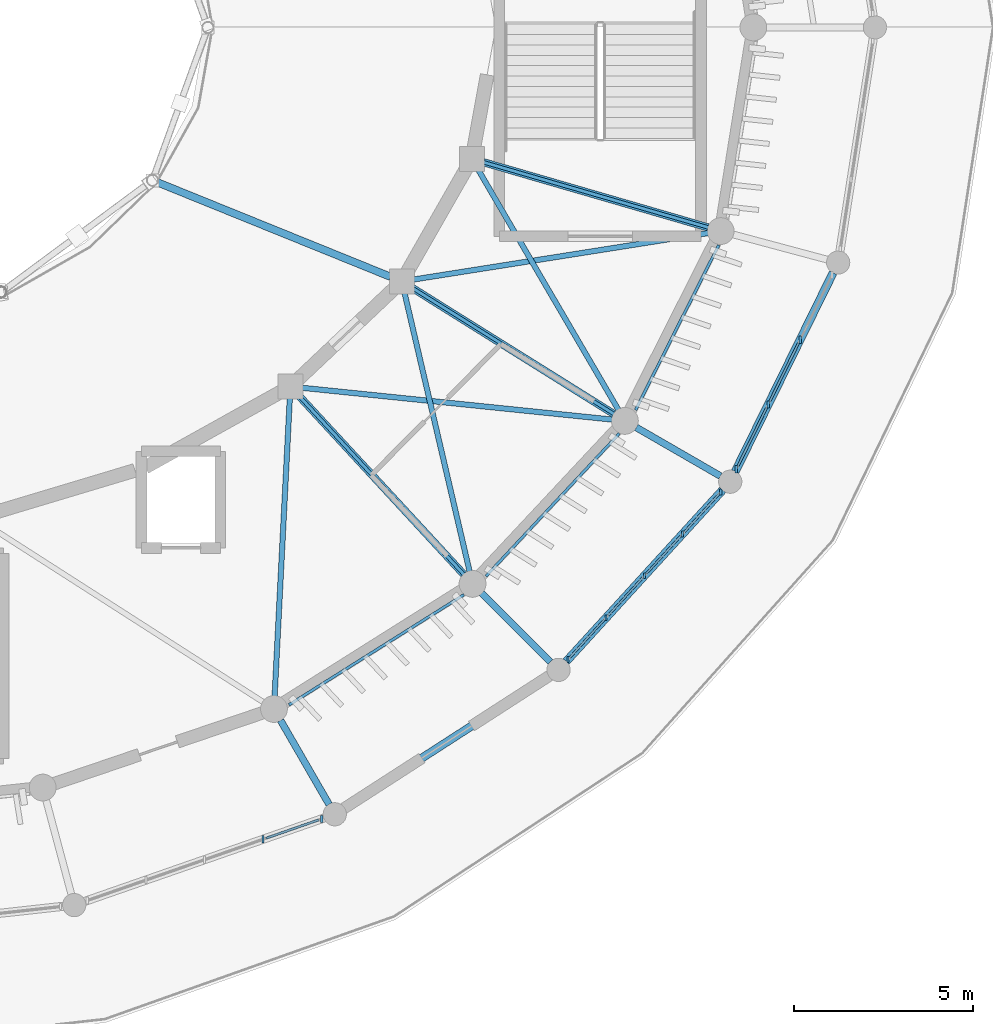
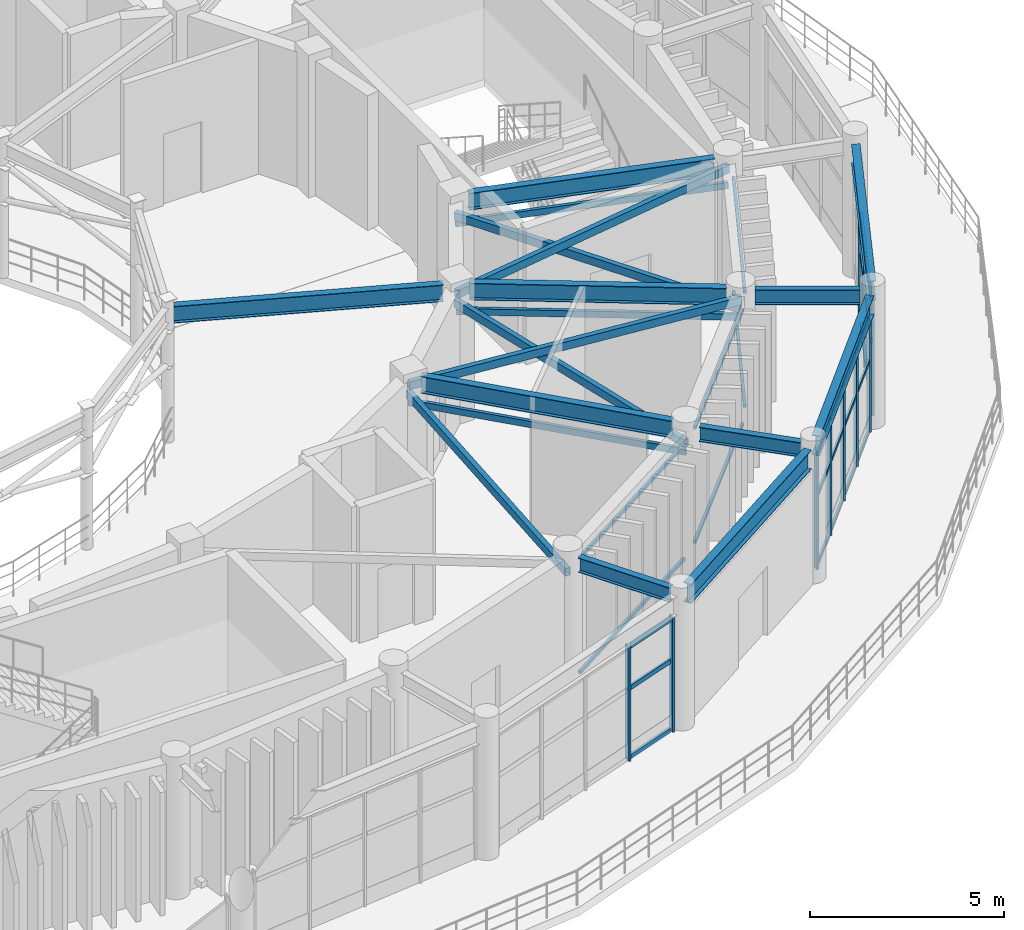
# One storey, part 15 of 45: 45 members, 10 beams, 3 elements without a shape of their own.
"""IFC4 building model written with IfcOpenShell, lengths in metres."""

from ifc_helpers import new_model, si_unit, direction, frame, origin, origin_2d, place, context, subcontext, project, spatial, rectangle, hollow_rectangle, i_section, extrude, material, material_profile, profile_set, type_object, element, aggregate, save


model = new_model("IFC4")

# Units and contexts
model_context = context("Model", 3, precision=1e-05, world=origin(), true_north=direction((0.0, 1.0)))
body_context = subcontext(model_context, "Body", "Model", "MODEL_VIEW")
ifc_project = project(units=[si_unit("LENGTHUNIT", "METRE"), si_unit("AREAUNIT", "SQUARE_METRE"), si_unit("VOLUMEUNIT", "CUBIC_METRE"), si_unit("PLANEANGLEUNIT", "RADIAN"), si_unit("MASSUNIT", "GRAM", prefix="KILO")], contexts=[model_context])

# Site, building, storey
site_placement = place(None, origin())
site = spatial("IfcSite", under=ifc_project, at=site_placement, CompositionType="ELEMENT")
building_placement = place(site_placement, origin())
building = spatial("IfcBuilding", under=site, at=building_placement, Name="Cinderbank Siding Concert Hall", CompositionType="ELEMENT")
storey_placement = place(building_placement, frame((0.0, 0.0, 19.199951171875)))
storey = spatial("IfcBuildingStorey", under=building, at=storey_placement, Name="L05", CompositionType="ELEMENT", Elevation=19.199951171875)

# Beams
ifc_material_1 = material(Name="Structural steel AS/NZS 3679.1 Grade 350 (340 MPa)", Category="steel")
ifc_material_profile_1 = material_profile(ifc_material_1, i_section(OverallWidth=0.19091796875, OverallDepth=0.46044921875, WebThickness=0.010009765625, FlangeThickness=0.01611328125, at=origin_2d()), Name="460UB82.1", Category="LoadBearing")
ifc_profile_set_1 = profile_set([ifc_material_profile_1], Name="Structural steel AS/NZS 3679.1 Grade 350 (340 MPa)")
beam_type_1 = type_object("IfcBeamType", Name="BM-UB460H 460UB82.1", PredefinedType="BEAM", material=ifc_profile_set_1)
beam_1_placement = place(storey_placement, frame((135.58349609375, 24.629638671875, 4.001953125), z_axis=(0.499987022033, -0.866032896488, 0.0), x_axis=(0.866032896488, 0.499987022033, 0.0)))
element("IfcBeam", 1, at=beam_1_placement, inside=storey, type_object=beam_type_1, Name="L05 Beam BM-UB460H #813", PredefinedType="BEAM", context=body_context, shape_type="SweptSolid", body=[
    extrude(i_section(OverallWidth=0.19091796875, OverallDepth=0.46044921875, WebThickness=0.010009765625, FlangeThickness=0.01611328125, at=origin_2d()), origin(), (0.0, 0.0, 1.0), 2.7158203125),
])
beam_2_placement = place(storey_placement, frame((141.2099609375, 28.18408203125, 4.001953125), z_axis=(0.707151723938, -0.707061835578, 0.0), x_axis=(0.707061835578, 0.707151723938, 0.0)))
element("IfcBeam", 2, at=beam_2_placement, inside=storey, type_object=beam_type_1, Name="L05 Beam BM-UB460H #814", PredefinedType="BEAM", context=body_context, shape_type="SweptSolid", body=[
    extrude(i_section(OverallWidth=0.19091796875, OverallDepth=0.46044921875, WebThickness=0.010009765625, FlangeThickness=0.01611328125, at=origin_2d()), origin(), (0.0, 0.0, 1.0), 2.716064453125),
])
beam_3_placement = place(storey_placement, frame((145.52734375, 32.81640625, 4.001953125), z_axis=(0.866032896488, -0.499987022033, 0.0), x_axis=(0.499987022033, 0.866032896488, 0.0)))
element("IfcBeam", 3, at=beam_3_placement, inside=storey, type_object=beam_type_1, Name="L05 Beam BM-UB460H #815", PredefinedType="BEAM", context=body_context, shape_type="SweptSolid", body=[
    extrude(i_section(OverallWidth=0.19091796875, OverallDepth=0.46044921875, WebThickness=0.010009765625, FlangeThickness=0.01611328125, at=origin_2d()), origin(), (0.0, 0.0, 1.0), 2.7158203125),
])
ifc_material_profile_2 = material_profile(ifc_material_1, i_section(OverallWidth=0.208984375, OverallDepth=0.5283203125, WebThickness=0.009521484375, FlangeThickness=0.01318359375, at=origin_2d()), Name="530UB82.0", Category="LoadBearing")
ifc_profile_set_2 = profile_set([ifc_material_profile_2], Name="Structural steel AS/NZS 3679.1 Grade 350 (340 MPa)")
beam_type_2 = type_object("IfcBeamType", Name="BM-UB530 530UB82.0", PredefinedType="BEAM", material=ifc_profile_set_2)
beam_4_placement = place(storey_placement, frame((132.145263671875, 39.667236328125, 3.988037109375), z_axis=(0.926787327391, -0.375586541008, 0.0), x_axis=(0.375586541008, 0.926787327391, 0.0)))
element("IfcBeam", 4, at=beam_4_placement, inside=storey, type_object=beam_type_2, Name="L05 Beam BM-UB530 #225", PredefinedType="BEAM", context=body_context, shape_type="SweptSolid", body=[
    extrude(i_section(OverallWidth=0.208984375, OverallDepth=0.5283203125, WebThickness=0.009521484375, FlangeThickness=0.01318359375, at=origin_2d()), origin(), (0.0, 0.0, 1.0), 7.026123046875),
])
ifc_material_profile_3 = material_profile(ifc_material_1, i_section(OverallWidth=0.208984375, OverallDepth=0.532958984375, WebThickness=0.01025390625, FlangeThickness=0.015625, at=origin_2d()), Name="530UB92.4", Category="LoadBearing")
ifc_profile_set_3 = profile_set([ifc_material_profile_3], Name="Structural steel AS/NZS 3679.1 Grade 350 (340 MPa)")
beam_type_3 = type_object("IfcBeamType", Name="BM-UB530H 530UB92.4", PredefinedType="BEAM", material=ifc_profile_set_3)
beam_5_placement = place(storey_placement, frame((136.09130859375, 33.707763671875, 4.015625), z_axis=(0.67829203735, -0.734792427879, 0.0), x_axis=(0.734792427879, 0.67829203735, 0.0)))
element("IfcBeam", 5, at=beam_5_placement, inside=storey, type_object=beam_type_3, Name="L05 Beam BM-UB530H #791", PredefinedType="BEAM", context=body_context, shape_type="SweptSolid", body=[
    extrude(i_section(OverallWidth=0.208984375, OverallDepth=0.532958984375, WebThickness=0.01025390625, FlangeThickness=0.015625, at=origin_2d()), origin(), (0.0, 0.0, 1.0), 6.797119140625),
])
beam_6_placement = place(storey_placement, frame((139.26416015625, 36.718505859375, 4.015625), z_axis=(0.84781868984, -0.530286214376, 0.0), x_axis=(0.530286214376, 0.84781868984, 0.0)))
element("IfcBeam", 6, at=beam_6_placement, inside=storey, type_object=beam_type_3, Name="L05 Beam BM-UB530H #792", PredefinedType="BEAM", context=body_context, shape_type="SweptSolid", body=[
    extrude(i_section(OverallWidth=0.208984375, OverallDepth=0.532958984375, WebThickness=0.01025390625, FlangeThickness=0.015625, at=origin_2d()), origin(), (0.0, 0.0, 1.0), 6.645263671875),
])
beam_7_placement = place(storey_placement, frame((141.260498046875, 40.2294921875, 4.015625), z_axis=(0.960350422934, -0.278795740946, 0.0), x_axis=(0.278795740946, 0.960350422934, 0.0)))
element("IfcBeam", 7, at=beam_7_placement, inside=storey, type_object=beam_type_3, Name="L05 Beam BM-UB530H #793", PredefinedType="BEAM", context=body_context, shape_type="SweptSolid", body=[
    extrude(i_section(OverallWidth=0.208984375, OverallDepth=0.532958984375, WebThickness=0.01025390625, FlangeThickness=0.015625, at=origin_2d()), origin(), (0.0, 0.0, 1.0), 6.53271484375),
])
ifc_material_profile_4 = material_profile(ifc_material_1, i_section(OverallWidth=0.22802734375, OverallDepth=0.60693359375, WebThickness=0.01123046875, FlangeThickness=0.017333984375, at=origin_2d()), Name="610UB113", Category="LoadBearing")
ifc_profile_set_4 = profile_set([ifc_material_profile_4], Name="Structural steel AS/NZS 3679.1 Grade 350 (340 MPa)")
beam_type_4 = type_object("IfcBeamType", Name="BM-UB610M 610UB113", PredefinedType="BEAM", material=ifc_profile_set_4)
beam_8_placement = place(storey_placement, frame((137.3662109375, 22.1748046875, 3.928466796875), z_axis=(0.840219727246, 0.542246078775, 0.0), x_axis=(-0.542246078775, 0.840219727246, 0.0)))
element("IfcBeam", 8, at=beam_8_placement, inside=storey, type_object=beam_type_4, Name="L05 Beam BM-UB610M #779", PredefinedType="BEAM", context=body_context, shape_type="SweptSolid", body=[
    extrude(i_section(OverallWidth=0.22802734375, OverallDepth=0.60693359375, WebThickness=0.01123046875, FlangeThickness=0.017333984375, at=origin_2d()), origin(), (0.0, 0.0, 1.0), 6.810302734375),
])
beam_9_placement = place(storey_placement, frame((143.568359375, 26.273681640625, 3.928466796875), z_axis=(0.67395874418, 0.73876898361, 0.0), x_axis=(-0.73876898361, 0.67395874418, 0.0)))
element("IfcBeam", 9, at=beam_9_placement, inside=storey, type_object=beam_type_4, Name="L05 Beam BM-UB610M #780", PredefinedType="BEAM", context=body_context, shape_type="SweptSolid", body=[
    extrude(i_section(OverallWidth=0.22802734375, OverallDepth=0.60693359375, WebThickness=0.01123046875, FlangeThickness=0.017333984375, at=origin_2d()), origin(), (0.0, 0.0, 1.0), 6.48681640625),
])
beam_10_placement = place(storey_placement, frame((148.294189453125, 31.58447265625, 3.928466796875), z_axis=(0.441813843649, 0.897106753714, 0.0), x_axis=(-0.897106753714, 0.441813843649, 0.0)))
element("IfcBeam", 10, at=beam_10_placement, inside=storey, type_object=beam_type_4, Name="L05 Beam BM-UB610M #781", PredefinedType="BEAM", context=body_context, shape_type="SweptSolid", body=[
    extrude(i_section(OverallWidth=0.22802734375, OverallDepth=0.60693359375, WebThickness=0.01123046875, FlangeThickness=0.017333984375, at=origin_2d()), origin(), (0.0, 0.0, 1.0), 6.194580078125),
])

# Curtain wall, members
ifc_material_2 = material(Name="Anodised aluminium alloy 6063-T6", Category="aluminium")
curtain_wall_type_1 = type_object("IfcCurtainWallType", Name="CW-10 Unitised Acoustic Curtain Wall 7200x3500", PredefinedType="NOTDEFINED", material=ifc_material_2)
curtain_wall_1_placement = place(storey_placement, origin())
curtain_wall_1 = element("IfcCurtainWall", 11, at=curtain_wall_1_placement, inside=storey, type_object=curtain_wall_type_1, Name="L05 Curtain Wall CW-10 #90", PredefinedType="NOTDEFINED")
ifc_material_profile_5 = material_profile(ifc_material_2, rectangle(XDim=0.06005859375, YDim=0.159912109375, at=origin_2d()), Name="ALU-MULL-60x160", Category="LoadBearing")
ifc_profile_set_5 = profile_set([ifc_material_profile_5], Name="Anodised aluminium alloy 6063-T6")
member_type_1 = type_object("IfcMemberType", Name="CW-ML1 Mullion 60x160", PredefinedType="MULLION", material=ifc_profile_set_5)
member_1_placement = place(storey_placement, frame((143.617431640625, 26.32763671875, 0.0), z_axis=(0.0, 0.0, 1.0), x_axis=(1.0, 0.0, 0.0)))
member_1 = element("IfcMember", 12, at=member_1_placement, type_object=member_type_1, Name="CW-L05-090 Mullion 0", PredefinedType="MULLION", context=body_context, shape_type="SweptSolid", body=[
    extrude(rectangle(XDim=0.06005859375, YDim=0.159912109375, at=origin_2d()), origin(), (0.0, 0.0, 1.0), 3.610107421875),
])
member_2_placement = place(storey_placement, frame((144.685791015625, 27.498779296875, 0.0), z_axis=(0.0, 0.0, 1.0), x_axis=(1.0, 0.0, 0.0)))
member_2 = element("IfcMember", 13, at=member_2_placement, type_object=member_type_1, Name="CW-L05-090 Mullion 1", PredefinedType="MULLION", context=body_context, shape_type="SweptSolid", body=[
    extrude(rectangle(XDim=0.06005859375, YDim=0.159912109375, at=origin_2d()), origin(), (0.0, 0.0, 1.0), 3.610107421875),
])
member_3_placement = place(storey_placement, frame((145.75439453125, 28.669921875, 0.0), z_axis=(0.0, 0.0, 1.0), x_axis=(1.0, 0.0, 0.0)))
member_3 = element("IfcMember", 14, at=member_3_placement, type_object=member_type_1, Name="CW-L05-090 Mullion 2", PredefinedType="MULLION", context=body_context, shape_type="SweptSolid", body=[
    extrude(rectangle(XDim=0.06005859375, YDim=0.159912109375, at=origin_2d()), origin(), (0.0, 0.0, 1.0), 3.610107421875),
])
member_4_placement = place(storey_placement, frame((146.82275390625, 29.8408203125, 0.0), z_axis=(0.0, 0.0, 1.0), x_axis=(1.0, 0.0, 0.0)))
member_4 = element("IfcMember", 15, at=member_4_placement, type_object=member_type_1, Name="CW-L05-090 Mullion 3", PredefinedType="MULLION", context=body_context, shape_type="SweptSolid", body=[
    extrude(rectangle(XDim=0.06005859375, YDim=0.159912109375, at=origin_2d()), origin(), (0.0, 0.0, 1.0), 3.610107421875),
])
member_5_placement = place(storey_placement, frame((147.89111328125, 31.011962890625, 0.0), z_axis=(0.0, 0.0, 1.0), x_axis=(1.0, 0.0, 0.0)))
member_5 = element("IfcMember", 16, at=member_5_placement, type_object=member_type_1, Name="CW-L05-090 Mullion 4", PredefinedType="MULLION", context=body_context, shape_type="SweptSolid", body=[
    extrude(rectangle(XDim=0.06005859375, YDim=0.159912109375, at=origin_2d()), origin(), (0.0, 0.0, 1.0), 3.610107421875),
])

curtain_wall_type_2 = type_object("IfcCurtainWallType", Name="CW-12 Unitised Acoustic Curtain Wall 5800x3500", PredefinedType="NOTDEFINED", material=ifc_material_2)
curtain_wall_2_placement = place(storey_placement, origin())
curtain_wall_2 = element("IfcCurtainWall", 17, at=curtain_wall_2_placement, inside=storey, type_object=curtain_wall_type_2, Name="L05 Curtain Wall CW-12 #89", PredefinedType="NOTDEFINED")
ifc_material_profile_6 = material_profile(ifc_material_2, rectangle(XDim=0.06494140625, YDim=0.199951171875, at=origin_2d()), Name="ALU-MULL-65x200", Category="LoadBearing")
ifc_profile_set_6 = profile_set([ifc_material_profile_6], Name="Anodised aluminium alloy 6063-T6")
member_type_2 = type_object("IfcMemberType", Name="CW-ML2 Mullion 65x200", PredefinedType="MULLION", material=ifc_profile_set_6)
member_6_placement = place(storey_placement, frame((135.094970703125, 21.304443359375, 0.0), z_axis=(0.0, 0.0, 1.0), x_axis=(1.0, 0.0, 0.0)))
member_6 = element("IfcMember", 18, at=member_6_placement, type_object=member_type_2, Name="CW-L05-089 Mullion 3", PredefinedType="MULLION", context=body_context, shape_type="SweptSolid", body=[
    extrude(rectangle(XDim=0.06494140625, YDim=0.199951171875, at=origin_2d()), origin(), (0.0, 0.0, 1.0), 3.610107421875),
])
member_7_placement = place(storey_placement, frame((136.731689453125, 21.874755859375, 0.0), z_axis=(0.0, 0.0, 1.0), x_axis=(1.0, 0.0, 0.0)))
member_7 = element("IfcMember", 19, at=member_7_placement, type_object=member_type_2, Name="CW-L05-089 Mullion 4", PredefinedType="MULLION", context=body_context, shape_type="SweptSolid", body=[
    extrude(rectangle(XDim=0.06494140625, YDim=0.199951171875, at=origin_2d()), origin(), (0.0, 0.0, 1.0), 3.610107421875),
])

curtain_wall_type_3 = type_object("IfcCurtainWallType", Name="CW-11 Unitised Acoustic Curtain Wall 6600x3500", PredefinedType="NOTDEFINED", material=ifc_material_2)
curtain_wall_3_placement = place(storey_placement, origin())
curtain_wall_3 = element("IfcCurtainWall", 20, at=curtain_wall_3_placement, inside=storey, type_object=curtain_wall_type_3, Name="L05 Curtain Wall CW-11 #91", PredefinedType="NOTDEFINED")
member_8_placement = place(storey_placement, frame((148.326416015625, 31.64990234375, 0.0), z_axis=(0.0, 0.0, 1.0), x_axis=(1.0, 0.0, 0.0)))
member_8 = element("IfcMember", 21, at=member_8_placement, type_object=member_type_2, Name="CW-L05-091 Mullion 0", PredefinedType="MULLION", context=body_context, shape_type="SweptSolid", body=[
    extrude(rectangle(XDim=0.06494140625, YDim=0.199951171875, at=origin_2d()), origin(), (0.0, 0.0, 1.0), 3.610107421875),
])
member_9_placement = place(storey_placement, frame((149.217041015625, 33.45849609375, 0.0), z_axis=(0.0, 0.0, 1.0), x_axis=(1.0, 0.0, 0.0)))
member_9 = element("IfcMember", 22, at=member_9_placement, type_object=member_type_2, Name="CW-L05-091 Mullion 1", PredefinedType="MULLION", context=body_context, shape_type="SweptSolid", body=[
    extrude(rectangle(XDim=0.06494140625, YDim=0.199951171875, at=origin_2d()), origin(), (0.0, 0.0, 1.0), 3.610107421875),
])
member_10_placement = place(storey_placement, frame((150.10791015625, 35.267333984375, 0.0), z_axis=(0.0, 0.0, 1.0), x_axis=(1.0, 0.0, 0.0)))
member_10 = element("IfcMember", 23, at=member_10_placement, type_object=member_type_2, Name="CW-L05-091 Mullion 2", PredefinedType="MULLION", context=body_context, shape_type="SweptSolid", body=[
    extrude(rectangle(XDim=0.06494140625, YDim=0.199951171875, at=origin_2d()), origin(), (0.0, 0.0, 1.0), 3.610107421875),
])

# Member
ifc_material_profile_7 = material_profile(ifc_material_2, rectangle(XDim=0.06005859375, YDim=0.1201171875, at=origin_2d()), Name="ALU-TRAN-60x120", Category="LoadBearing")
ifc_profile_set_7 = profile_set([ifc_material_profile_7], Name="Anodised aluminium alloy 6063-T6")
member_type_3 = type_object("IfcMemberType", Name="CW-TR1 Transom 60x120", PredefinedType="USERDEFINED", material=ifc_profile_set_7)
member_11_placement = place(storey_placement, frame((143.6708984375, 26.38623046875, 0.06005859375), z_axis=(0.674025884018, 0.738707728181, 0.0), x_axis=(-0.738707728181, 0.674025884018, 0.0)))
member_11 = element("IfcMember", 24, at=member_11_placement, type_object=member_type_3, Name="CW-L05-090 Transom 0-0", ObjectType="TRANSOM", PredefinedType="USERDEFINED", context=body_context, shape_type="SweptSolid", body=[
    extrude(rectangle(XDim=0.06005859375, YDim=0.1201171875, at=origin_2d()), origin(), (0.0, 0.0, 1.0), 1.4267578125),
])

member_12_placement = place(storey_placement, frame((143.6708984375, 26.38623046875, 2.23828125), z_axis=(0.674025884018, 0.738707728181, 0.0), x_axis=(-0.738707728181, 0.674025884018, 0.0)))
member_12 = element("IfcMember", 25, at=member_12_placement, type_object=member_type_3, Name="CW-L05-090 Transom 0-1", ObjectType="TRANSOM", PredefinedType="USERDEFINED", context=body_context, shape_type="SweptSolid", body=[
    extrude(rectangle(XDim=0.06005859375, YDim=0.1201171875, at=origin_2d()), origin(), (0.0, 0.0, 1.0), 1.4267578125),
])

member_13_placement = place(storey_placement, frame((143.6708984375, 26.38623046875, 3.550048828125), z_axis=(0.674025884018, 0.738707728181, 0.0), x_axis=(-0.738707728181, 0.674025884018, 0.0)))
member_13 = element("IfcMember", 26, at=member_13_placement, type_object=member_type_3, Name="CW-L05-090 Transom 0-2", ObjectType="TRANSOM", PredefinedType="USERDEFINED", context=body_context, shape_type="SweptSolid", body=[
    extrude(rectangle(XDim=0.06005859375, YDim=0.1201171875, at=origin_2d()), origin(), (0.0, 0.0, 1.0), 1.4267578125),
])

member_14_placement = place(storey_placement, frame((144.7392578125, 27.55712890625, 0.06005859375), z_axis=(0.674025884018, 0.738707728181, 0.0), x_axis=(-0.738707728181, 0.674025884018, 0.0)))
member_14 = element("IfcMember", 27, at=member_14_placement, type_object=member_type_3, Name="CW-L05-090 Transom 1-0", ObjectType="TRANSOM", PredefinedType="USERDEFINED", context=body_context, shape_type="SweptSolid", body=[
    extrude(rectangle(XDim=0.06005859375, YDim=0.1201171875, at=origin_2d()), origin(), (0.0, 0.0, 1.0), 1.4267578125),
])

member_15_placement = place(storey_placement, frame((144.7392578125, 27.55712890625, 2.23828125), z_axis=(0.674025884018, 0.738707728181, 0.0), x_axis=(-0.738707728181, 0.674025884018, 0.0)))
member_15 = element("IfcMember", 28, at=member_15_placement, type_object=member_type_3, Name="CW-L05-090 Transom 1-1", ObjectType="TRANSOM", PredefinedType="USERDEFINED", context=body_context, shape_type="SweptSolid", body=[
    extrude(rectangle(XDim=0.06005859375, YDim=0.1201171875, at=origin_2d()), origin(), (0.0, 0.0, 1.0), 1.4267578125),
])

member_16_placement = place(storey_placement, frame((144.7392578125, 27.55712890625, 3.550048828125), z_axis=(0.674025884018, 0.738707728181, 0.0), x_axis=(-0.738707728181, 0.674025884018, 0.0)))
member_16 = element("IfcMember", 29, at=member_16_placement, type_object=member_type_3, Name="CW-L05-090 Transom 1-2", ObjectType="TRANSOM", PredefinedType="USERDEFINED", context=body_context, shape_type="SweptSolid", body=[
    extrude(rectangle(XDim=0.06005859375, YDim=0.1201171875, at=origin_2d()), origin(), (0.0, 0.0, 1.0), 1.4267578125),
])

member_17_placement = place(storey_placement, frame((145.8076171875, 28.728271484375, 0.06005859375), z_axis=(0.674025884018, 0.738707728181, 0.0), x_axis=(-0.738707728181, 0.674025884018, 0.0)))
member_17 = element("IfcMember", 30, at=member_17_placement, type_object=member_type_3, Name="CW-L05-090 Transom 2-0", ObjectType="TRANSOM", PredefinedType="USERDEFINED", context=body_context, shape_type="SweptSolid", body=[
    extrude(rectangle(XDim=0.06005859375, YDim=0.1201171875, at=origin_2d()), origin(), (0.0, 0.0, 1.0), 1.4267578125),
])

member_18_placement = place(storey_placement, frame((145.8076171875, 28.728271484375, 2.23828125), z_axis=(0.674025884018, 0.738707728181, 0.0), x_axis=(-0.738707728181, 0.674025884018, 0.0)))
member_18 = element("IfcMember", 31, at=member_18_placement, type_object=member_type_3, Name="CW-L05-090 Transom 2-1", ObjectType="TRANSOM", PredefinedType="USERDEFINED", context=body_context, shape_type="SweptSolid", body=[
    extrude(rectangle(XDim=0.06005859375, YDim=0.1201171875, at=origin_2d()), origin(), (0.0, 0.0, 1.0), 1.4267578125),
])

member_19_placement = place(storey_placement, frame((145.8076171875, 28.728271484375, 3.550048828125), z_axis=(0.674025884018, 0.738707728181, 0.0), x_axis=(-0.738707728181, 0.674025884018, 0.0)))
member_19 = element("IfcMember", 32, at=member_19_placement, type_object=member_type_3, Name="CW-L05-090 Transom 2-2", ObjectType="TRANSOM", PredefinedType="USERDEFINED", context=body_context, shape_type="SweptSolid", body=[
    extrude(rectangle(XDim=0.06005859375, YDim=0.1201171875, at=origin_2d()), origin(), (0.0, 0.0, 1.0), 1.4267578125),
])

member_20_placement = place(storey_placement, frame((146.876220703125, 29.8994140625, 0.06005859375), z_axis=(0.67393249173, 0.738792932147, 0.0), x_axis=(-0.738792932147, 0.67393249173, 0.0)))
member_20 = element("IfcMember", 33, at=member_20_placement, type_object=member_type_3, Name="CW-L05-090 Transom 3-0", ObjectType="TRANSOM", PredefinedType="USERDEFINED", context=body_context, shape_type="SweptSolid", body=[
    extrude(rectangle(XDim=0.06005859375, YDim=0.1201171875, at=origin_2d()), origin(), (0.0, 0.0, 1.0), 1.426513671875),
])

member_21_placement = place(storey_placement, frame((146.876220703125, 29.8994140625, 2.23828125), z_axis=(0.67393249173, 0.738792932147, 0.0), x_axis=(-0.738792932147, 0.67393249173, 0.0)))
member_21 = element("IfcMember", 34, at=member_21_placement, type_object=member_type_3, Name="CW-L05-090 Transom 3-1", ObjectType="TRANSOM", PredefinedType="USERDEFINED", context=body_context, shape_type="SweptSolid", body=[
    extrude(rectangle(XDim=0.06005859375, YDim=0.1201171875, at=origin_2d()), origin(), (0.0, 0.0, 1.0), 1.426513671875),
])

member_22_placement = place(storey_placement, frame((146.876220703125, 29.8994140625, 3.550048828125), z_axis=(0.67393249173, 0.738792932147, 0.0), x_axis=(-0.738792932147, 0.67393249173, 0.0)))
member_22 = element("IfcMember", 35, at=member_22_placement, type_object=member_type_3, Name="CW-L05-090 Transom 3-2", ObjectType="TRANSOM", PredefinedType="USERDEFINED", context=body_context, shape_type="SweptSolid", body=[
    extrude(rectangle(XDim=0.06005859375, YDim=0.1201171875, at=origin_2d()), origin(), (0.0, 0.0, 1.0), 1.426513671875),
])

aggregate(curtain_wall_1, [member_1, member_2, member_3, member_4, member_5, member_11, member_12, member_13, member_14, member_15, member_16, member_17, member_18, member_19, member_20, member_21, member_22])

ifc_material_profile_8 = material_profile(ifc_material_2, rectangle(XDim=0.06494140625, YDim=0.14990234375, at=origin_2d()), Name="ALU-TRAN-65x150", Category="LoadBearing")
ifc_profile_set_8 = profile_set([ifc_material_profile_8], Name="Anodised aluminium alloy 6063-T6")
member_type_4 = type_object("IfcMemberType", Name="CW-TR2 Transom 65x150", PredefinedType="USERDEFINED", material=ifc_profile_set_8)
member_23_placement = place(storey_placement, frame((135.1767578125, 21.3330078125, 0.06005859375), z_axis=(0.944340450587, 0.328969775793, 0.0), x_axis=(-0.328969775793, 0.944340450587, 0.0)))
member_23 = element("IfcMember", 36, at=member_23_placement, type_object=member_type_4, Name="CW-L05-089 Transom 3-0", ObjectType="TRANSOM", PredefinedType="USERDEFINED", context=body_context, shape_type="SweptSolid", body=[
    extrude(rectangle(XDim=0.06494140625, YDim=0.14990234375, at=origin_2d()), origin(), (0.0, 0.0, 1.0), 1.56005859375),
])

member_24_placement = place(storey_placement, frame((135.1767578125, 21.3330078125, 2.23828125), z_axis=(0.944340450587, 0.328969775793, 0.0), x_axis=(-0.328969775793, 0.944340450587, 0.0)))
member_24 = element("IfcMember", 37, at=member_24_placement, type_object=member_type_4, Name="CW-L05-089 Transom 3-1", ObjectType="TRANSOM", PredefinedType="USERDEFINED", context=body_context, shape_type="SweptSolid", body=[
    extrude(rectangle(XDim=0.06494140625, YDim=0.14990234375, at=origin_2d()), origin(), (0.0, 0.0, 1.0), 1.56005859375),
])

member_25_placement = place(storey_placement, frame((135.1767578125, 21.3330078125, 3.550048828125), z_axis=(0.944340450587, 0.328969775793, 0.0), x_axis=(-0.328969775793, 0.944340450587, 0.0)))
member_25 = element("IfcMember", 38, at=member_25_placement, type_object=member_type_4, Name="CW-L05-089 Transom 3-2", ObjectType="TRANSOM", PredefinedType="USERDEFINED", context=body_context, shape_type="SweptSolid", body=[
    extrude(rectangle(XDim=0.06494140625, YDim=0.14990234375, at=origin_2d()), origin(), (0.0, 0.0, 1.0), 1.56005859375),
])

aggregate(curtain_wall_2, [member_6, member_7, member_23, member_24, member_25])

member_26_placement = place(storey_placement, frame((148.370849609375, 31.740234375, 0.06005859375), z_axis=(0.441823966303, 0.897101768363, 0.0), x_axis=(-0.897101768363, 0.441823966303, 0.0)))
member_26 = element("IfcMember", 39, at=member_26_placement, type_object=member_type_4, Name="CW-L05-091 Transom 0-0", ObjectType="TRANSOM", PredefinedType="USERDEFINED", context=body_context, shape_type="SweptSolid", body=[
    extrude(rectangle(XDim=0.06494140625, YDim=0.14990234375, at=origin_2d()), origin(), (0.0, 0.0, 1.0), 1.814697265625),
])

member_27_placement = place(storey_placement, frame((148.370849609375, 31.740234375, 2.23828125), z_axis=(0.441823966303, 0.897101768363, 0.0), x_axis=(-0.897101768363, 0.441823966303, 0.0)))
member_27 = element("IfcMember", 40, at=member_27_placement, type_object=member_type_4, Name="CW-L05-091 Transom 0-1", ObjectType="TRANSOM", PredefinedType="USERDEFINED", context=body_context, shape_type="SweptSolid", body=[
    extrude(rectangle(XDim=0.06494140625, YDim=0.14990234375, at=origin_2d()), origin(), (0.0, 0.0, 1.0), 1.814697265625),
])

member_28_placement = place(storey_placement, frame((148.370849609375, 31.740234375, 3.550048828125), z_axis=(0.441823966303, 0.897101768363, 0.0), x_axis=(-0.897101768363, 0.441823966303, 0.0)))
member_28 = element("IfcMember", 41, at=member_28_placement, type_object=member_type_4, Name="CW-L05-091 Transom 0-2", ObjectType="TRANSOM", PredefinedType="USERDEFINED", context=body_context, shape_type="SweptSolid", body=[
    extrude(rectangle(XDim=0.06494140625, YDim=0.14990234375, at=origin_2d()), origin(), (0.0, 0.0, 1.0), 1.814697265625),
])

member_29_placement = place(storey_placement, frame((149.26171875, 33.549072265625, 0.06005859375), z_axis=(0.441823966303, 0.897101768363, 0.0), x_axis=(-0.897101768363, 0.441823966303, 0.0)))
member_29 = element("IfcMember", 42, at=member_29_placement, type_object=member_type_4, Name="CW-L05-091 Transom 1-0", ObjectType="TRANSOM", PredefinedType="USERDEFINED", context=body_context, shape_type="SweptSolid", body=[
    extrude(rectangle(XDim=0.06494140625, YDim=0.14990234375, at=origin_2d()), origin(), (0.0, 0.0, 1.0), 1.814697265625),
])

member_30_placement = place(storey_placement, frame((149.26171875, 33.549072265625, 2.23828125), z_axis=(0.441823966303, 0.897101768363, 0.0), x_axis=(-0.897101768363, 0.441823966303, 0.0)))
member_30 = element("IfcMember", 43, at=member_30_placement, type_object=member_type_4, Name="CW-L05-091 Transom 1-1", ObjectType="TRANSOM", PredefinedType="USERDEFINED", context=body_context, shape_type="SweptSolid", body=[
    extrude(rectangle(XDim=0.06494140625, YDim=0.14990234375, at=origin_2d()), origin(), (0.0, 0.0, 1.0), 1.814697265625),
])

member_31_placement = place(storey_placement, frame((149.26171875, 33.549072265625, 3.550048828125), z_axis=(0.441823966303, 0.897101768363, 0.0), x_axis=(-0.897101768363, 0.441823966303, 0.0)))
member_31 = element("IfcMember", 44, at=member_31_placement, type_object=member_type_4, Name="CW-L05-091 Transom 1-2", ObjectType="TRANSOM", PredefinedType="USERDEFINED", context=body_context, shape_type="SweptSolid", body=[
    extrude(rectangle(XDim=0.06494140625, YDim=0.14990234375, at=origin_2d()), origin(), (0.0, 0.0, 1.0), 1.814697265625),
])

aggregate(curtain_wall_3, [member_8, member_9, member_10, member_26, member_27, member_28, member_29, member_30, member_31])

# Members
ifc_material_profile_9 = material_profile(ifc_material_2, rectangle(XDim=0.080078125, YDim=0.10009765625, at=origin_2d()), Name="ALU-RAIL-80x100", Category="LoadBearing")
ifc_profile_set_9 = profile_set([ifc_material_profile_9], Name="Anodised aluminium alloy 6063-T6")
member_type_5 = type_object("IfcMemberType", Name="LV-RL1 Carrier Rail 80x100", PredefinedType="STUD", material=ifc_profile_set_9)
for number, where, z_axis, x_axis, name in (
    (45, (135.81884765625, 25.060302734375, 0.219970703125), (0.84612066394, 0.532991390225, 0.0), (-0.532991390225, 0.84612066394, 0.0), "L05 Louvre Carrier Rail 21 BOT"),
    (46, (135.81884765625, 25.060302734375, 3.820068359375), (0.84612066394, 0.532991390225, 0.0), (-0.532991390225, 0.84612066394, 0.0), "L05 Louvre Carrier Rail 21 TOP"),
):
    element("IfcMember", number, at=place(storey_placement, frame(where, z_axis=z_axis, x_axis=x_axis)), inside=storey, type_object=member_type_5, Name=name, PredefinedType="STUD", context=body_context, shape_type="SweptSolid", body=[
        extrude(rectangle(XDim=0.080078125, YDim=0.10009765625, at=origin_2d()), origin(), (0.0, 0.0, 1.0), 5.77978515625),
    ])
for number, where, z_axis, x_axis, name in (
    (47, (141.326904296875, 28.6591796875, 0.219970703125), (0.682858444422, 0.730550713422, 0.0), (-0.730550713422, 0.682858444422, 0.0), "L05 Louvre Carrier Rail 22 BOT"),
    (48, (141.326904296875, 28.6591796875, 3.820068359375), (0.682858444422, 0.730550713422, 0.0), (-0.730550713422, 0.682858444422, 0.0), "L05 Louvre Carrier Rail 22 TOP"),
):
    element("IfcMember", number, at=place(storey_placement, frame(where, z_axis=z_axis, x_axis=x_axis)), inside=storey, type_object=member_type_5, Name=name, PredefinedType="STUD", context=body_context, shape_type="SweptSolid", body=[
        extrude(rectangle(XDim=0.080078125, YDim=0.10009765625, at=origin_2d()), origin(), (0.0, 0.0, 1.0), 5.45703125),
    ])
for number, where, z_axis, x_axis, name in (
    (49, (145.50830078125, 33.306396484375, 0.219970703125), (0.450482714116, 0.892785150124, 0.0), (-0.892785150124, 0.450482714116, 0.0), "L05 Louvre Carrier Rail 23 BOT"),
    (50, (145.50830078125, 33.306396484375, 3.820068359375), (0.450482714116, 0.892785150124, 0.0), (-0.892785150124, 0.450482714116, 0.0), "L05 Louvre Carrier Rail 23 TOP"),
):
    element("IfcMember", number, at=place(storey_placement, frame(where, z_axis=z_axis, x_axis=x_axis)), inside=storey, type_object=member_type_5, Name=name, PredefinedType="STUD", context=body_context, shape_type="SweptSolid", body=[
        extrude(rectangle(XDim=0.080078125, YDim=0.10009765625, at=origin_2d()), origin(), (0.0, 0.0, 1.0), 5.1630859375),
    ])
ifc_material_3 = material(Name="Structural steel hollow section AS/NZS 1163 Grade C350L0 (350 MPa)", Category="steel")
ifc_material_profile_10 = material_profile(ifc_material_3, hollow_rectangle(XDim=0.10009765625, YDim=0.199951171875, WallThickness=0.008056640625, at=origin_2d()), Name="200x100x8.0RHS", Category="LoadBearing")
ifc_profile_set_10 = profile_set([ifc_material_profile_10], Name="Structural steel hollow section AS/NZS 1163 Grade C350L0 (350 MPa)")
member_type_6 = type_object("IfcMemberType", Name="PR-RHS200 200x100x8.0RHS Roof Truss", PredefinedType="PURLIN", material=ifc_profile_set_10)
member_32_placement = place(storey_placement, frame((135.859375, 33.958984375, 3.340087890625), z_axis=(0.678276049894, -0.734807185689, 0.0), x_axis=(0.734807185689, 0.678276049894, 0.0)))
element("IfcMember", 51, at=member_32_placement, inside=storey, type_object=member_type_6, Name="L05 Roof Truss Member PR-RHS200 #2325", PredefinedType="PURLIN", context=body_context, shape_type="SweptSolid", body=[
    extrude(hollow_rectangle(XDim=0.10009765625, YDim=0.199951171875, WallThickness=0.008056640625, at=origin_2d()), origin(), (0.0, 0.0, 1.0), 7.505859375),
])
member_33_placement = place(storey_placement, frame((138.97412109375, 36.89990234375, 3.340087890625), z_axis=(0.847826684568, -0.530273432235, 0.0), x_axis=(0.530273432235, 0.847826684568, 0.0)))
element("IfcMember", 52, at=member_33_placement, inside=storey, type_object=member_type_6, Name="L05 Roof Truss Member PR-RHS200 #2328", PredefinedType="PURLIN", context=body_context, shape_type="SweptSolid", body=[
    extrude(hollow_rectangle(XDim=0.10009765625, YDim=0.199951171875, WallThickness=0.008056640625, at=origin_2d()), origin(), (0.0, 0.0, 1.0), 7.3544921875),
])
member_34_placement = place(storey_placement, frame((140.93212890625, 40.32470703125, 3.340087890625), z_axis=(0.960356417746, -0.278775090161, 0.0), x_axis=(0.278775090161, 0.960356417746, 0.0)))
element("IfcMember", 53, at=member_34_placement, inside=storey, type_object=member_type_6, Name="L05 Roof Truss Member PR-RHS200 #2329", PredefinedType="PURLIN", context=body_context, shape_type="SweptSolid", body=[
    extrude(hollow_rectangle(XDim=0.10009765625, YDim=0.199951171875, WallThickness=0.008056640625, at=origin_2d()), origin(), (0.0, 0.0, 1.0), 7.24169921875),
])
ifc_material_profile_11 = material_profile(ifc_material_3, hollow_rectangle(XDim=0.14990234375, YDim=0.25, WallThickness=0.009033203125, at=origin_2d()), Name="250x150x9.0RHS", Category="LoadBearing")
ifc_profile_set_11 = profile_set([ifc_material_profile_11], Name="Structural steel hollow section AS/NZS 1163 Grade C350L0 (350 MPa)")
member_type_7 = type_object("IfcMemberType", Name="TR-RHS250 250x150x9.0RHS Roof Truss", PredefinedType="RAFTER", material=ifc_profile_set_11)
member_35_placement = place(storey_placement, frame((135.859375, 33.958984375, 3.60009765625), z_axis=(-0.050921362661, -0.998702665874, 0.0), x_axis=(0.998702665874, -0.050921362661, 0.0)))
element("IfcMember", 54, at=member_35_placement, inside=storey, type_object=member_type_7, Name="L05 Roof Truss Member TR-RHS250 #2322", PredefinedType="RAFTER", context=body_context, shape_type="SweptSolid", body=[
    extrude(hollow_rectangle(XDim=0.14990234375, YDim=0.25, WallThickness=0.009033203125, at=origin_2d()), origin(), (0.0, 0.0, 1.0), 9.023193359375),
])
member_36_placement = place(storey_placement, frame((135.859375, 33.958984375, 3.880126953125), z_axis=(0.994781438611, -0.102028865499, 0.0), x_axis=(0.102028865499, 0.994781438611, 0.0)))
element("IfcMember", 55, at=member_36_placement, inside=storey, type_object=member_type_7, Name="L05 Roof Truss Member TR-RHS250 #2323", PredefinedType="RAFTER", context=body_context, shape_type="SweptSolid", body=[
    extrude(hollow_rectangle(XDim=0.14990234375, YDim=0.25, WallThickness=0.009033203125, at=origin_2d()), origin(), (0.0, 0.0, 1.0), 9.399169921875),
])
member_37_placement = place(storey_placement, frame((138.97412109375, 36.89990234375, 3.60009765625), z_axis=(0.227577092084, -0.973760066525, 0.0), x_axis=(0.973760066525, 0.227577092084, 0.0)))
element("IfcMember", 56, at=member_37_placement, inside=storey, type_object=member_type_7, Name="L05 Roof Truss Member TR-RHS250 #2324", PredefinedType="RAFTER", context=body_context, shape_type="SweptSolid", body=[
    extrude(hollow_rectangle(XDim=0.14990234375, YDim=0.25, WallThickness=0.009033203125, at=origin_2d()), origin(), (0.0, 0.0, 1.0), 8.68408203125),
])
member_38_placement = place(storey_placement, frame((138.97412109375, 36.89990234375, 3.880126953125), z_axis=(0.987784236991, 0.155827793262, 0.0), x_axis=(-0.155827793262, 0.987784236991, 0.0)))
element("IfcMember", 57, at=member_38_placement, inside=storey, type_object=member_type_7, Name="L05 Roof Truss Member TR-RHS250 #2326", PredefinedType="RAFTER", context=body_context, shape_type="SweptSolid", body=[
    extrude(hollow_rectangle(XDim=0.14990234375, YDim=0.25, WallThickness=0.009033203125, at=origin_2d()), origin(), (0.0, 0.0, 1.0), 9.022705078125),
])
member_39_placement = place(storey_placement, frame((140.93212890625, 40.32470703125, 3.60009765625), z_axis=(0.50427542144, -0.863542876372, 0.0), x_axis=(0.863542876372, 0.50427542144, 0.0)))
element("IfcMember", 58, at=member_39_placement, inside=storey, type_object=member_type_7, Name="L05 Roof Truss Member TR-RHS250 #2327", PredefinedType="RAFTER", context=body_context, shape_type="SweptSolid", body=[
    extrude(hollow_rectangle(XDim=0.14990234375, YDim=0.25, WallThickness=0.009033203125, at=origin_2d()), origin(), (0.0, 0.0, 1.0), 8.482177734375),
])

save(model, "model.ifc")
